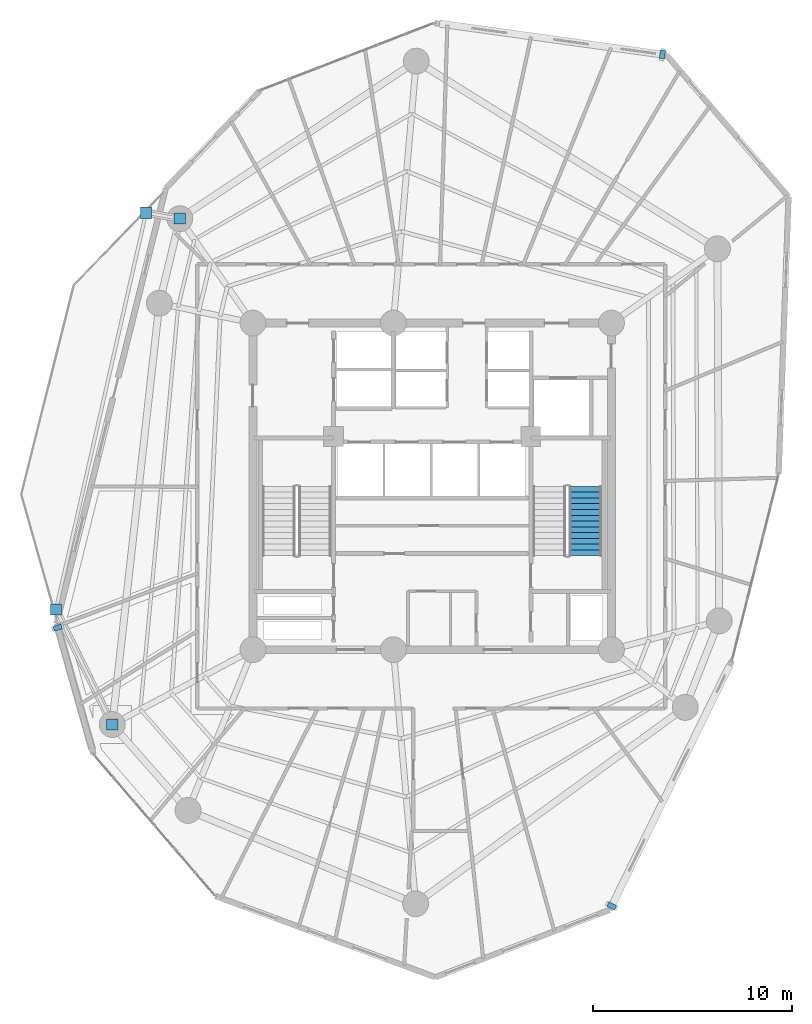
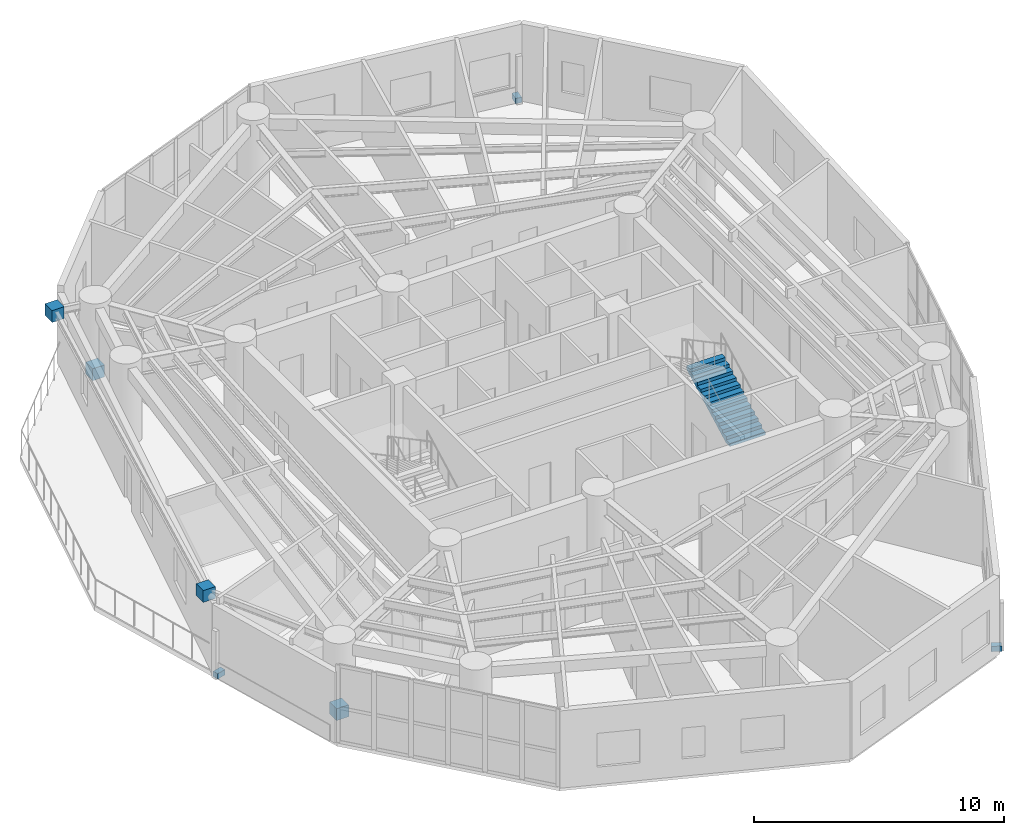
# One storey, part 11 of 14: 7 discrete accessories, 1 stair flight, 1 element without a shape of its own.
"""IFC4 building model written with IfcOpenShell, lengths in metres."""

from ifc_helpers import new_model, si_unit, direction, frame, origin, origin_with_axes, origin_2d, place, context, subcontext, project, spatial, polyline, rectangle, outline, extrude, source, transform, mapped, material, type_object, element, aggregate, save


model = new_model("IFC4")

# Units and contexts
model_context = context("Model", 3, precision=1e-05, world=origin(), true_north=direction((0.0, 1.0)))
body_context = subcontext(model_context, "Body", "Model", "MODEL_VIEW")
ifc_project = project(units=[si_unit("LENGTHUNIT", "METRE"), si_unit("AREAUNIT", "SQUARE_METRE"), si_unit("VOLUMEUNIT", "CUBIC_METRE"), si_unit("PLANEANGLEUNIT", "RADIAN"), si_unit("MASSUNIT", "GRAM", prefix="KILO")], contexts=[model_context])

# Site, building, storey
site_placement = place(None, origin())
site = spatial("IfcSite", under=ifc_project, at=site_placement, CompositionType="ELEMENT")
building_placement = place(site_placement, origin())
building = spatial("IfcBuilding", under=site, at=building_placement, Name="Karkom Vertical University and Central Library", CompositionType="ELEMENT")
storey_placement = place(building_placement, frame((0.0, 0.0, 152.550048828125)))
storey = spatial("IfcBuildingStorey", under=building, at=storey_placement, Name="L43", CompositionType="ELEMENT", Elevation=152.550048828125)

# Stair, stair flight
ifc_material_1 = material(Name="Concrete C45/55", Category="concrete")
stair_type = type_object("IfcStairType", Name="INT-STR-ST-MAIN", PredefinedType="HALF_TURN_STAIR", material=ifc_material_1)
stair_placement = place(storey_placement, origin())
stair = element("IfcStair", 1, at=stair_placement, inside=storey, type_object=stair_type, Name="Level 43 Tower Protected Exit Stair ST-2", PredefinedType="HALF_TURN_STAIR")
stair_flight_type = type_object("IfcStairFlightType", Name="INT-SFL-ST-MAIN", PredefinedType="STRAIGHT", material=ifc_material_1)
stair_flight_placement = place(storey_placement, frame((36.195068359375, 23.02001953125, 0.0), z_axis=(0.0, 0.0, 1.0), x_axis=(0.0, 1.0, 0.0)))
stair_flight = element("IfcStairFlight", 2, at=stair_flight_placement, type_object=stair_flight_type, Name="ST-2 flight 1", NumberOfRisers=13, NumberOfTreads=12, PredefinedType="STRAIGHT", RiserHeight=0.153846154, TreadLength=0.29, context=body_context, shape_type="SweptSolid", body=[
    extrude(outline(polyline([(0.0, 0.0), (0.0, 0.15380859375), (0.2900390625, 0.15380859375), (0.2900390625, 0.3076171875), (0.580078125, 0.3076171875), (0.580078125, 0.46142578125), (0.8701171875, 0.46142578125), (0.8701171875, 0.615478515625), (1.159912109375, 0.615478515625), (1.159912109375, 0.769287109375), (1.449951171875, 0.769287109375), (1.449951171875, 0.923095703125), (1.739990234375, 0.923095703125), (1.739990234375, 1.076904296875), (2.030029296875, 1.076904296875), (2.030029296875, 1.230712890625), (2.320068359375, 1.230712890625), (2.320068359375, 1.384521484375), (2.610107421875, 1.384521484375), (2.610107421875, 1.53857421875), (2.89990234375, 1.53857421875), (2.89990234375, 1.6923828125), (3.18994140625, 1.6923828125), (3.18994140625, 1.84619140625), (3.47998046875, 1.84619140625), (3.47998046875, 2.0), (3.47998046875, 1.676513671875), (0.31982421875, 0.0), (0.0, 0.0)])), frame((0.0, 0.824951171875, 0.0), z_axis=(0.0, -1.0, 0.0), x_axis=(1.0, 0.0, 0.0)), (0.0, 0.0, 1.0), 1.64990234375),
])
aggregate(stair, [stair_flight])

# Discrete accessories
ifc_material_2 = material(Name="Ductile cast iron EN-GJS-400-15", Category="metal")
discrete_accessory_type_1 = type_object("IfcDiscreteAccessoryType", Name="STR-ACC-NODECAP", PredefinedType="BRACKET", material=ifc_material_2)
shared_shape_1 = source(origin_with_axes(), body_context, "Body", "SweptSolid", [
    extrude(rectangle(XDim=0.56005859375, YDim=0.56005859375, at=origin_2d()), origin(), (0.0, 0.0, 1.0), 0.580078125),
])
for number, where, z_axis, x_axis, name in (
    (3, (15.8291015625, 39.943115234375, 0.059814453125), (0.0, 0.0, 1.0), (1.0, 0.0, 0.0), "Level 43 Cast Node Connector L43-SKG-KNEE-1 A"),
    (4, (14.134765625, 40.239501953125, 3.31982421875), (0.0, 0.0, 1.0), (1.0, 0.0, 0.0), "Level 43 Cast Node Connector L43-SKG-KNEE-1 B"),
    (5, (12.43603515625, 14.5439453125, 0.059814453125), (0.0, 0.0, 1.0), (1.0, 0.0, 0.0), "Level 43 Cast Node Connector L43-SKG-KNEE-2 A"),
    (6, (9.6083984375, 20.31640625, 3.31982421875), (0.0, 0.0, 1.0), (1.0, 0.0, 0.0), "Level 43 Cast Node Connector L43-SKG-KNEE-2 B"),
):
    element("IfcDiscreteAccessory", number, at=place(storey_placement, frame(where, z_axis=z_axis, x_axis=x_axis)), inside=storey, type_object=discrete_accessory_type_1, Name=name, PredefinedType="BRACKET", context=body_context, shape_type="MappedRepresentation", body=[
        mapped(shared_shape_1, transform((0.0, 0.0, 0.0), scale=1.0)),
    ])
ifc_material_3 = material(Name="Austenitic stainless steel 316", Category="steel")
discrete_accessory_type_2 = type_object("IfcDiscreteAccessoryType", Name="INT-ACC-BRACKET", PredefinedType="BRACKET", material=ifc_material_3)
shared_shape_2 = source(origin_with_axes(), body_context, "Body", "SweptSolid", [
    extrude(rectangle(XDim=0.260009765625, YDim=0.419921875, at=origin_2d()), origin(), (0.0, 0.0, 1.0), 0.260009765625),
])
for number, where, z_axis, x_axis, name in (
    (7, (9.6962890625, 19.406005859375, 0.0), (0.0, 0.0, 1.0), (0.271776393577, -0.962360427228, 0.0), "Level 43 Sun-Breaker Stainless Corbel Bracket 19"),
    (8, (37.5166015625, 5.435791015625, 0.0), (0.0, 0.0, 1.0), (0.440252613806, 0.897873953312, 0.0), "Level 43 Sun-Breaker Stainless Corbel Bracket 20"),
    (9, (40.0576171875, 48.186279296875, 0.0), (0.0, 0.0, 1.0), (-0.990509463238, 0.137444546037, 0.0), "Level 43 Sun-Breaker Stainless Corbel Bracket 21"),
):
    element("IfcDiscreteAccessory", number, at=place(storey_placement, frame(where, z_axis=z_axis, x_axis=x_axis)), inside=storey, type_object=discrete_accessory_type_2, Name=name, PredefinedType="BRACKET", context=body_context, shape_type="MappedRepresentation", body=[
        mapped(shared_shape_2, transform((0.0, 0.0, 0.0), scale=1.0)),
    ])

save(model, "model.ifc")
